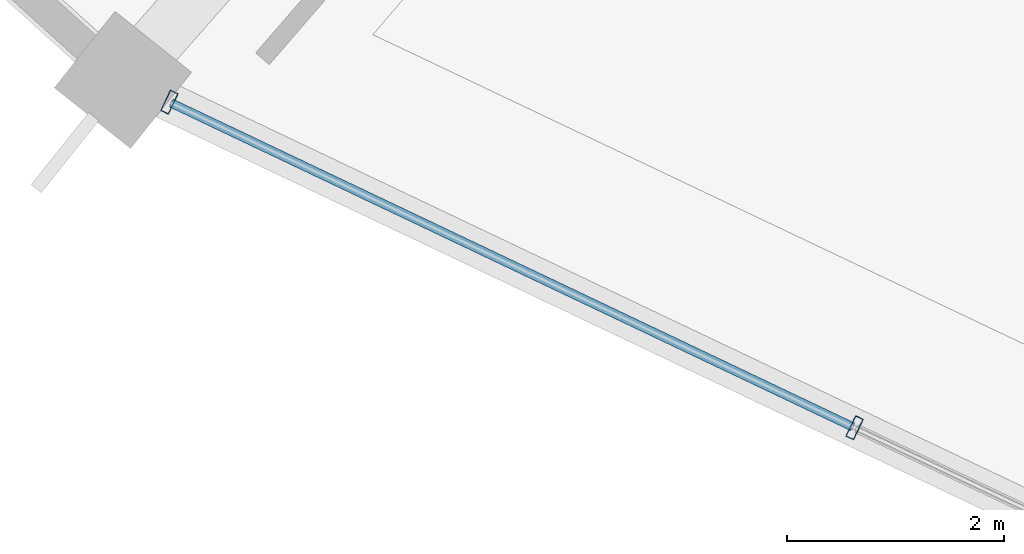
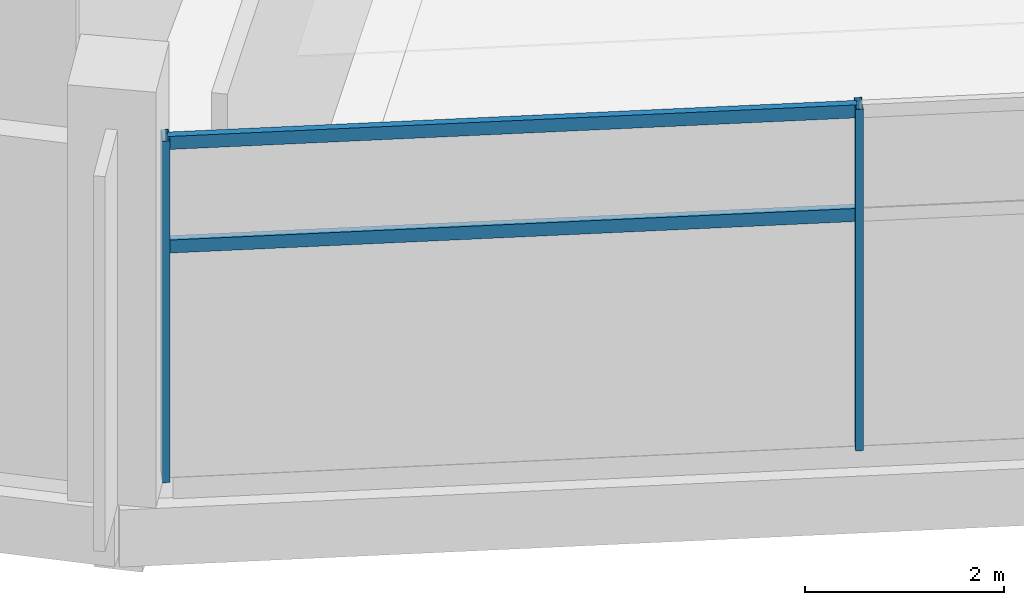
# One storey, part 3 of 184: 4 members, 1 element without a shape of its own.
"""IFC4 building model written with IfcOpenShell, lengths in metres."""

from ifc_helpers import new_model, si_unit, direction, frame, origin, origin_2d, place, context, subcontext, project, spatial, hollow_rectangle, extrude, material, layer, layer_set, material_profile, profile_set, type_object, element, aggregate, save


model = new_model("IFC4")

# Units and contexts
model_context = context("Model", 3, precision=1e-05, world=origin(), true_north=direction((0.0, 1.0)))
body_context = subcontext(model_context, "Body", "Model", "MODEL_VIEW")
ifc_project = project(units=[si_unit("LENGTHUNIT", "METRE"), si_unit("AREAUNIT", "SQUARE_METRE"), si_unit("VOLUMEUNIT", "CUBIC_METRE"), si_unit("PLANEANGLEUNIT", "RADIAN"), si_unit("MASSUNIT", "GRAM", prefix="KILO")], contexts=[model_context])

# Site, building, storey
site_placement = place(None, origin())
site = spatial("IfcSite", under=ifc_project, at=site_placement, CompositionType="ELEMENT")
building_placement = place(site_placement, origin())
building = spatial("IfcBuilding", under=site, at=building_placement, Name="Kazemori Nagisa Stadium", CompositionType="ELEMENT")
storey_placement = place(building_placement, frame((0.0, 0.0, 10.5400390625)))
storey = spatial("IfcBuildingStorey", under=building, at=storey_placement, Name="L02", CompositionType="ELEMENT", Elevation=10.5400390625)

# Curtain wall, members
ifc_material_1 = material(Name="Anodised aluminium 6063-T5", Category="aluminium")
ifc_layer = layer(ifc_material_1, 0.2099609375, Name="Anodised aluminium 6063-T5", Category="aluminium")
ifc_layer_set = layer_set([ifc_layer], Name="Anodised aluminium 6063-T5")
curtain_wall_type = type_object("IfcCurtainWallType", Name="CW_L02R3_105", PredefinedType="USERDEFINED", material=ifc_layer_set)
curtain_wall_placement = place(storey_placement, origin())
curtain_wall = element("IfcCurtainWall", 1, at=curtain_wall_placement, inside=storey, type_object=curtain_wall_type, Name="Unitised curtain wall CW-L02R3-105 L02", ObjectType="UNITISED CURTAIN WALL", PredefinedType="USERDEFINED")
ifc_material_2 = material(Name="Aluminium 6063-T5 anodised", Category="aluminium")
ifc_material_profile_1 = material_profile(ifc_material_2, hollow_rectangle(XDim=0.080078125, YDim=0.2099609375, WallThickness=0.0048828125, at=origin_2d()), Name="ALU-MULL-80x210x5")
ifc_profile_set_1 = profile_set([ifc_material_profile_1], Name="Aluminium 6063-T5 anodised")
member_type_1 = type_object("IfcMemberType", Name="Mullion_M02", PredefinedType="MULLION", material=ifc_profile_set_1)
member_1_placement = place(storey_placement, frame((60.8310546875, 30.737060546875, 0.0), z_axis=(0.0, 0.0, 1.0), x_axis=(0.903215892654, -0.429186499388, 0.0)))
member_1 = element("IfcMember", 2, at=member_1_placement, type_object=member_type_1, Name="Curtain wall mullion CW-L02R3-105-M1", PredefinedType="MULLION", context=body_context, shape_type="SweptSolid", body=[
    extrude(hollow_rectangle(XDim=0.080078125, YDim=0.2099609375, WallThickness=0.0048828125, at=origin_2d()), origin(), (0.0, 0.0, 1.0), 4.18994140625),
])
member_2_placement = place(storey_placement, frame((67.142822265625, 27.738037109375, 0.0), z_axis=(0.0, 0.0, 1.0), x_axis=(0.903215892654, -0.429186499388, 0.0)))
member_2 = element("IfcMember", 3, at=member_2_placement, type_object=member_type_1, Name="Curtain wall mullion CW-L02R3-105-M2", PredefinedType="MULLION", context=body_context, shape_type="SweptSolid", body=[
    extrude(hollow_rectangle(XDim=0.080078125, YDim=0.2099609375, WallThickness=0.0048828125, at=origin_2d()), origin(), (0.0, 0.0, 1.0), 4.18994140625),
])
ifc_material_profile_2 = material_profile(ifc_material_2, hollow_rectangle(XDim=0.080078125, YDim=0.159912109375, WallThickness=0.00390625, at=origin_2d()), Name="ALU-TRAN-80x160x4")
ifc_profile_set_2 = profile_set([ifc_material_profile_2], Name="Aluminium 6063-T5 anodised")
member_type_2 = type_object("IfcMemberType", Name="Transom_T02", PredefinedType="USERDEFINED", material=ifc_profile_set_2)
member_3_placement = place(storey_placement, frame((60.84912109375, 30.728515625, 2.84912109375), z_axis=(0.903221322461, -0.429175072264, 0.0), x_axis=(0.429175072264, 0.903221322461, 0.0)))
member_3 = element("IfcMember", 4, at=member_3_placement, type_object=member_type_2, Name="Curtain wall transom CW-L02R3-105-T1-mid", ObjectType="TRANSOM", PredefinedType="USERDEFINED", context=body_context, shape_type="SweptSolid", body=[
    extrude(hollow_rectangle(XDim=0.080078125, YDim=0.159912109375, WallThickness=0.00390625, at=origin_2d()), origin(), (0.0, 0.0, 1.0), 6.947998046875),
])
member_4_placement = place(storey_placement, frame((60.84912109375, 30.728515625, 4.119873046875), z_axis=(0.903221322461, -0.429175072264, 0.0), x_axis=(0.429175072264, 0.903221322461, 0.0)))
member_4 = element("IfcMember", 5, at=member_4_placement, type_object=member_type_2, Name="Curtain wall transom CW-L02R3-105-T1-head", ObjectType="TRANSOM", PredefinedType="USERDEFINED", context=body_context, shape_type="SweptSolid", body=[
    extrude(hollow_rectangle(XDim=0.080078125, YDim=0.159912109375, WallThickness=0.00390625, at=origin_2d()), origin(), (0.0, 0.0, 1.0), 6.947998046875),
])
aggregate(curtain_wall, [member_1, member_2, member_3, member_4])

save(model, "model.ifc")
